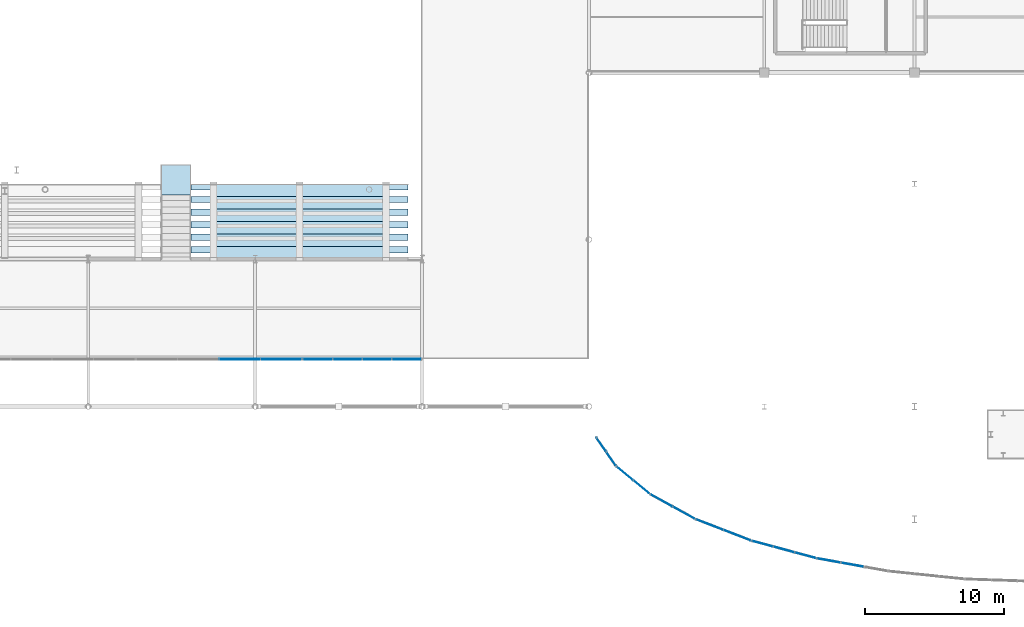
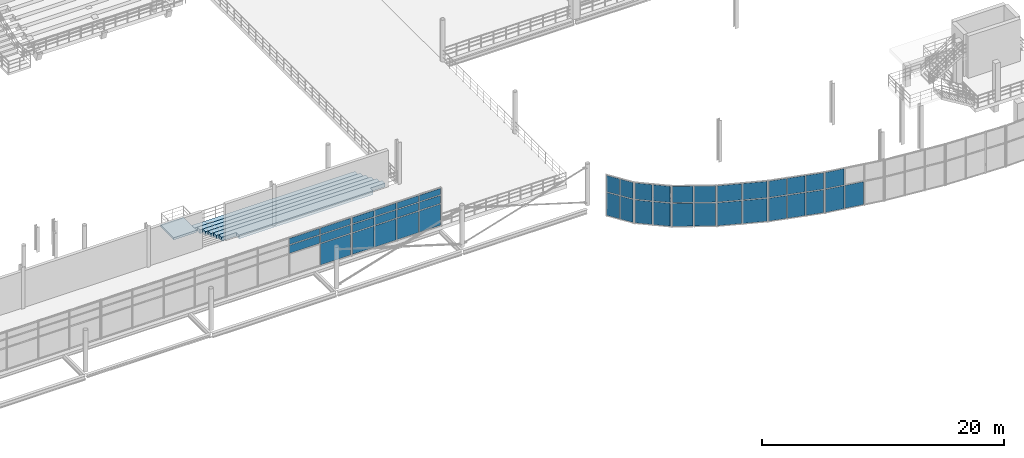
# One storey, part 56 of 89: 42 plates, 7 slabs, 9 elements without a shape of their own.
"""IFC4 building model written with IfcOpenShell, lengths in metres."""

import ifcopenshell
import ifcopenshell.guid

model = None  # the IFC model being written
_history = None  # IfcOwnerHistory: only IFC2X3 demands one
_inside = {}  # id of a spatial element -> (the spatial element, [elements in it])
_under = {}  # id of a project, library or spatial element -> (it, [spatial elements below it])
_declared = {}  # id of a project -> (the project, [libraries it declares])
_typed = {}  # id of a type object -> (the type object, [elements of that type])
_made_of = {}  # id of a material, layer set ... -> (it, [elements and type objects made of it])


def new_model(schema):
    """Start an empty IFC model of exactly this schema.

    Asked for "IFC4X3", IfcOpenShell would pick the latest addendum, in which some entities
    have other attributes; the version numbers below select the first issue.
    IFC2X3 requires an IfcOwnerHistory on every rooted entity: one is made here for all.
    """
    global model, _history
    if schema == "IFC4X3":
        model = ifcopenshell.file(schema_version=(4, 3, 0, 0))
    else:
        model = ifcopenshell.file(schema=schema)
    _inside.clear()
    _under.clear()
    _declared.clear()
    _typed.clear()
    _made_of.clear()
    _history = None
    if model.schema == "IFC2X3":
        org = make("IfcOrganization", Name="unknown")
        user = make(
            "IfcPersonAndOrganization",
            ThePerson=make("IfcPerson", FamilyName="unknown"),
            TheOrganization=org,
        )
        app = make(
            "IfcApplication",
            ApplicationDeveloper=org,
            Version="unknown",
            ApplicationFullName="unknown",
            ApplicationIdentifier="unknown",
        )
        _history = make(
            "IfcOwnerHistory",
            OwningUser=user,
            OwningApplication=app,
            ChangeAction="ADDED",
            CreationDate=0,
        )
    return model


def make(cls, **values):
    """One entity of the class cls with the attributes given. An attribute that is None is left unset."""
    return model.create_entity(
        cls, **{name: value for name, value in values.items() if value is not None}
    )


def rooted(cls, **values):
    """An entity with a GlobalId (a new one), such as an element, a storey or a relation."""
    return make(cls, GlobalId=ifcopenshell.guid.new(), OwnerHistory=_history, **values)


def si_unit(unit_type, name, prefix=None):
    """IfcSIUnit, for example si_unit("LENGTHUNIT", "METRE", prefix="MILLI")."""
    return make("IfcSIUnit", UnitType=unit_type, Prefix=prefix, Name=name)


def assignment(units):
    """IfcUnitAssignment: the units of a project."""
    return None if units is None else make("IfcUnitAssignment", Units=units)


def point(xyz):
    """IfcCartesianPoint."""
    return None if xyz is None else make("IfcCartesianPoint", Coordinates=xyz)


def direction(xyz):
    """IfcDirection."""
    return None if xyz is None else make("IfcDirection", DirectionRatios=xyz)


def frame(location, z_axis=None, x_axis=None):
    """IfcAxis2Placement3D, a coordinate frame: its origin and axes. An axis left out is left unset."""
    return make(
        "IfcAxis2Placement3D",
        Location=point(location),
        Axis=direction(z_axis),
        RefDirection=direction(x_axis),
    )


def frame_2d(location, x_axis=None):
    """IfcAxis2Placement2D, a coordinate frame in the plane: its origin and x axis."""
    return make(
        "IfcAxis2Placement2D", Location=point(location), RefDirection=direction(x_axis)
    )


def origin():
    """The frame at (0, 0, 0) with its axes left unset."""
    return frame((0.0, 0.0, 0.0))


def origin_2d():
    """The frame at (0, 0) in the plane with its x axis left unset."""
    return frame_2d((0.0, 0.0))


def place(relative_to, where):
    """IfcLocalPlacement: puts the frame where relative to a parent placement (None: the world)."""
    return make(
        "IfcLocalPlacement", PlacementRelTo=relative_to, RelativePlacement=where
    )


def context(
    kind, dimensions, precision=None, world=None, true_north=None, identifier=None
):
    """IfcGeometricRepresentationContext, for example the 3D "Model" context."""
    return make(
        "IfcGeometricRepresentationContext",
        ContextIdentifier=identifier,
        ContextType=kind,
        CoordinateSpaceDimension=dimensions,
        Precision=precision,
        WorldCoordinateSystem=world,
        TrueNorth=true_north,
    )


def subcontext(parent, identifier, kind, view, scale=None):
    """IfcGeometricRepresentationSubContext, for example "Body" below "Model"."""
    return make(
        "IfcGeometricRepresentationSubContext",
        ContextIdentifier=identifier,
        ContextType=kind,
        ParentContext=parent,
        TargetScale=scale,
        TargetView=view,
    )


def project(units=None, contexts=None):
    """IfcProject with its units and contexts."""
    return rooted(
        "IfcProject",
        Name="project",
        RepresentationContexts=contexts,
        UnitsInContext=assignment(units),
    )


def spatial(cls, under=None, at=None, **own):
    """A site, building, storey or space (cls), placed at a placement, below another one or the project."""
    s = rooted(cls, ObjectPlacement=at, **own)
    if under is not None:
        _under.setdefault(under.id(), (under, []))[1].append(s)
    return s


def polyline(points):
    """IfcPolyline through the points."""
    return make("IfcPolyline", Points=[point(p) for p in points])


def profile(cls, at=None, kind="AREA", **sizes):
    """A parametric profile (cls). Its sizes go by their IFC names, for example OverallWidth=200.0."""
    return make(cls, ProfileType=kind, Position=at, **sizes)


def rectangle(**sizes):
    """IfcRectangleProfileDef."""
    return profile("IfcRectangleProfileDef", **sizes)


def outline(outer, holes=None, kind="AREA"):
    """IfcArbitraryClosedProfileDef: a profile drawn as a closed curve; with holes, ...WithVoids."""
    if holes is None:
        return make("IfcArbitraryClosedProfileDef", ProfileType=kind, OuterCurve=outer)
    return make(
        "IfcArbitraryProfileDefWithVoids",
        ProfileType=kind,
        OuterCurve=outer,
        InnerCurves=holes,
    )


def extrude(swept, where, along, depth):
    """IfcExtrudedAreaSolid: the profile swept, set in the frame where, extruded along a direction by depth."""
    return make(
        "IfcExtrudedAreaSolid",
        SweptArea=swept,
        Position=where,
        ExtrudedDirection=direction(along),
        Depth=depth,
    )


def shape(context_of_items, identifier, shape_type, items):
    """IfcShapeRepresentation: the items that make up one representation, for example the "Body"."""
    return make(
        "IfcShapeRepresentation",
        ContextOfItems=context_of_items,
        RepresentationIdentifier=identifier,
        RepresentationType=shape_type,
        Items=items,
    )


def material(Name=None, Category=None):
    """IfcMaterial."""
    return make("IfcMaterial", Name=Name, Category=Category)


def layer(
    of_material, thickness, ventilated=None, Name=None, Category=None, Priority=None
):
    """IfcMaterialLayer: one layer of a wall or slab, of a material (None: an air gap)."""
    return make(
        "IfcMaterialLayer",
        Material=of_material,
        LayerThickness=thickness,
        IsVentilated=ventilated,
        Name=Name,
        Category=Category,
        Priority=Priority,
    )


def layer_set(layers, Name=None):
    """IfcMaterialLayerSet."""
    return make("IfcMaterialLayerSet", MaterialLayers=layers, LayerSetName=Name)


def made_of(thing, what):
    """Note that an element or type object is made of a material, layer set ...; save() writes the relation."""
    if what is not None:
        _made_of.setdefault(what.id(), (what, []))[1].append(thing)
    return thing


def type_object(cls, material=None, **own):
    """A type object (cls), such as IfcWallType, which elements share."""
    return made_of(rooted(cls, **own), material)


def element(
    cls,
    number,
    at=None,
    inside=None,
    cuts=None,
    type_object=None,
    material=None,
    context=None,
    identifier="Body",
    shape_type=None,
    held_by="IfcProductDefinitionShape",
    body=None,
    shapes=None,
    **own,
):
    """One element of the class cls, such as IfcWall. Its Tag is "e" and its number.

    at: its placement. inside: the storey or other place that contains it. cuts: it is an
    opening in that element (IfcRelVoidsElement). A single representation is given by context,
    identifier, shape_type and body (its items); several are given by shapes. held_by: the class
    of the entity that holds the representations. save() writes the other relations.
    """
    e = rooted(cls, Tag="e%d" % number, ObjectPlacement=at, **own)
    if body is not None:
        shapes = [shape(context, identifier, shape_type, body)]
    if shapes is not None:
        e.Representation = make(held_by, Representations=shapes)
    if inside is not None:
        _inside.setdefault(inside.id(), (inside, []))[1].append(e)
    if cuts is not None:
        rooted(
            "IfcRelVoidsElement", RelatingBuildingElement=cuts, RelatedOpeningElement=e
        )
    if type_object is not None:
        _typed.setdefault(type_object.id(), (type_object, []))[1].append(e)
    return made_of(e, material)


def aggregate(whole, parts):
    """IfcRelAggregates: a whole, such as a stair, and the parts it consists of."""
    return rooted("IfcRelAggregates", RelatingObject=whole, RelatedObjects=parts)


def save(model, path):
    """Write the relations noted so far, then the file.

    IfcRelAggregates (storeys below a building ...), IfcRelContainedInSpatialStructure (elements
    in a storey), IfcRelDefinesByType, IfcRelAssociatesMaterial and IfcRelDeclares: one each for
    every whole, place, type object, material and project.
    """
    for whole, parts in _under.values():
        aggregate(whole, parts)
    for where, things in _inside.values():
        rooted(
            "IfcRelContainedInSpatialStructure",
            RelatedElements=things,
            RelatingStructure=where,
        )
    for kind, things in _typed.values():
        rooted("IfcRelDefinesByType", RelatedObjects=things, RelatingType=kind)
    for what, things in _made_of.values():
        rooted("IfcRelAssociatesMaterial", RelatedObjects=things, RelatingMaterial=what)
    for by, libraries in _declared.values():
        rooted("IfcRelDeclares", RelatingContext=by, RelatedDefinitions=libraries)
    model.write(path)


model = new_model("IFC4")

# Units and contexts
model_context = context("Model", 3, precision=1e-05, world=origin(), true_north=direction((0.0, 1.0)))
body_context = subcontext(model_context, "Body", "Model", "MODEL_VIEW")
ifc_project = project(units=[si_unit("LENGTHUNIT", "METRE"), si_unit("AREAUNIT", "SQUARE_METRE"), si_unit("VOLUMEUNIT", "CUBIC_METRE"), si_unit("PLANEANGLEUNIT", "RADIAN"), si_unit("MASSUNIT", "GRAM", prefix="KILO"), si_unit("THERMODYNAMICTEMPERATUREUNIT", "KELVIN"), si_unit("POWERUNIT", "WATT")], contexts=[model_context])

# Site, building, storey
site_placement = place(None, origin())
site = spatial("IfcSite", under=ifc_project, at=site_placement, CompositionType="ELEMENT")
building_placement = place(site_placement, origin())
building = spatial("IfcBuilding", under=site, at=building_placement, Name="Solmara Park Aquatics Centre", CompositionType="ELEMENT")
storey_placement = place(building_placement, frame((0.0, 0.0, 5.39990234375)))
storey = spatial("IfcBuildingStorey", under=building, at=storey_placement, Name="L01", CompositionType="ELEMENT", Elevation=5.39990234375)

# Curtain wall, plates
ifc_material_1 = material(Name="Anodised Aluminium Curtain Wall Framing", Category="aluminium")
curtain_wall_type_1 = type_object("IfcCurtainWallType", Name="ARC-CW-SYS04", PredefinedType="USERDEFINED", material=ifc_material_1)
curtain_wall_1_placement = place(storey_placement, origin())
curtain_wall_1 = element("IfcCurtainWall", 1, at=curtain_wall_1_placement, inside=storey, type_object=curtain_wall_type_1, Name="Curtain Wall CW-028", ObjectType="CURTAIN WALL", PredefinedType="USERDEFINED")
ifc_material_2 = material(Name="Double Low-E Solar-Control Glazing", Category="glass")
ifc_layer_1 = layer(ifc_material_2, 0.031982421875, Name="Double Low-E Solar-Control Glazing")
ifc_layer_set_1 = layer_set([ifc_layer_1], Name="Double Low-E Solar-Control Glazing")
plate_type_1 = type_object("IfcPlateType", Name="ARC-CWP-GLZ32-1180x1640", PredefinedType="CURTAIN_PANEL", material=ifc_layer_set_1)
plate_1_placement = place(storey_placement, frame((97.4658203125, 9.881591796875, 2.47607421875), z_axis=(0.0, 0.0, 1.0), x_axis=(0.570927091568, -0.821000764989, 0.0)))
plate_1 = element("IfcPlate", 2, at=plate_1_placement, type_object=plate_type_1, Name="CW-028 panel 2", PredefinedType="CURTAIN_PANEL", context=body_context, shape_type="SweptSolid", body=[
    extrude(rectangle(XDim=1.172119140625, YDim=0.031982421875, at=origin_2d()), origin(), (0.0, 0.0, 1.0), 1.64404296875),
])
plate_2_placement = place(storey_placement, frame((98.180419921875, 8.853759765625, 2.47607421875), z_axis=(0.0, 0.0, 1.0), x_axis=(0.570927091568, -0.821000764989, 0.0)))
plate_2 = element("IfcPlate", 3, at=plate_2_placement, type_object=plate_type_1, Name="CW-028 panel 4", PredefinedType="CURTAIN_PANEL", context=body_context, shape_type="SweptSolid", body=[
    extrude(rectangle(XDim=1.172119140625, YDim=0.031982421875, at=origin_2d()), origin(), (0.0, 0.0, 1.0), 1.64404296875),
])
ifc_layer_2 = layer(ifc_material_2, 0.031982421875, Name="Double Low-E Solar-Control Glazing")
ifc_layer_set_2 = layer_set([ifc_layer_2], Name="Double Low-E Solar-Control Glazing")
plate_type_2 = type_object("IfcPlateType", Name="ARC-CWP-GLZ32-1180x2320", PredefinedType="CURTAIN_PANEL", material=ifc_layer_set_2)
plate_3_placement = place(storey_placement, frame((97.4658203125, 9.881591796875, 0.080078125), z_axis=(0.0, 0.0, 1.0), x_axis=(0.570927091568, -0.821000764989, 0.0)))
plate_3 = element("IfcPlate", 4, at=plate_3_placement, type_object=plate_type_2, Name="CW-028 panel 1", PredefinedType="CURTAIN_PANEL", context=body_context, shape_type="SweptSolid", body=[
    extrude(rectangle(XDim=1.172119140625, YDim=0.031982421875, at=origin_2d()), origin(), (0.0, 0.0, 1.0), 2.31591796875),
])
plate_4_placement = place(storey_placement, frame((98.180419921875, 8.853759765625, 0.080078125), z_axis=(0.0, 0.0, 1.0), x_axis=(0.570927091568, -0.821000764989, 0.0)))
plate_4 = element("IfcPlate", 5, at=plate_4_placement, type_object=plate_type_2, Name="CW-028 panel 3", PredefinedType="CURTAIN_PANEL", context=body_context, shape_type="SweptSolid", body=[
    extrude(rectangle(XDim=1.172119140625, YDim=0.031982421875, at=origin_2d()), origin(), (0.0, 0.0, 1.0), 2.31591796875),
])
aggregate(curtain_wall_1, [plate_3, plate_1, plate_4, plate_2])

curtain_wall_2_placement = place(storey_placement, origin())
curtain_wall_2 = element("IfcCurtainWall", 6, at=curtain_wall_2_placement, inside=storey, type_object=curtain_wall_type_1, Name="Curtain Wall CW-030", ObjectType="CURTAIN WALL", PredefinedType="USERDEFINED")
ifc_layer_3 = layer(ifc_material_2, 0.031982421875, Name="Double Low-E Solar-Control Glazing")
ifc_layer_set_3 = layer_set([ifc_layer_3], Name="Double Low-E Solar-Control Glazing")
plate_type_3 = type_object("IfcPlateType", Name="ARC-CWP-GLZ32-1440x1640", PredefinedType="CURTAIN_PANEL", material=ifc_layer_set_3)
plate_5_placement = place(storey_placement, frame((99.17431640625, 7.79296875, 2.47607421875), z_axis=(0.0, 0.0, 1.0), x_axis=(0.770876909587, -0.636984136589, 0.0)))
plate_5 = element("IfcPlate", 7, at=plate_5_placement, type_object=plate_type_3, Name="CW-030 panel 2", PredefinedType="CURTAIN_PANEL", context=body_context, shape_type="SweptSolid", body=[
    extrude(rectangle(XDim=1.4423828125, YDim=0.031982421875, at=origin_2d()), origin(), (0.0, 0.0, 1.0), 1.64404296875),
])
plate_6_placement = place(storey_placement, frame((100.347900390625, 6.822998046875, 2.47607421875), z_axis=(0.0, 0.0, 1.0), x_axis=(0.770876909587, -0.636984136589, 0.0)))
plate_6 = element("IfcPlate", 8, at=plate_6_placement, type_object=plate_type_3, Name="CW-030 panel 4", PredefinedType="CURTAIN_PANEL", context=body_context, shape_type="SweptSolid", body=[
    extrude(rectangle(XDim=1.4423828125, YDim=0.031982421875, at=origin_2d()), origin(), (0.0, 0.0, 1.0), 1.64404296875),
])
ifc_layer_4 = layer(ifc_material_2, 0.031982421875, Name="Double Low-E Solar-Control Glazing")
ifc_layer_set_4 = layer_set([ifc_layer_4], Name="Double Low-E Solar-Control Glazing")
plate_type_4 = type_object("IfcPlateType", Name="ARC-CWP-GLZ32-1440x2320", PredefinedType="CURTAIN_PANEL", material=ifc_layer_set_4)
plate_7_placement = place(storey_placement, frame((99.17431640625, 7.79296875, 0.080078125), z_axis=(0.0, 0.0, 1.0), x_axis=(0.770876909587, -0.636984136589, 0.0)))
plate_7 = element("IfcPlate", 9, at=plate_7_placement, type_object=plate_type_4, Name="CW-030 panel 1", PredefinedType="CURTAIN_PANEL", context=body_context, shape_type="SweptSolid", body=[
    extrude(rectangle(XDim=1.4423828125, YDim=0.031982421875, at=origin_2d()), origin(), (0.0, 0.0, 1.0), 2.31591796875),
])
plate_8_placement = place(storey_placement, frame((100.347900390625, 6.822998046875, 0.080078125), z_axis=(0.0, 0.0, 1.0), x_axis=(0.770876909587, -0.636984136589, 0.0)))
plate_8 = element("IfcPlate", 10, at=plate_8_placement, type_object=plate_type_4, Name="CW-030 panel 3", PredefinedType="CURTAIN_PANEL", context=body_context, shape_type="SweptSolid", body=[
    extrude(rectangle(XDim=1.4423828125, YDim=0.031982421875, at=origin_2d()), origin(), (0.0, 0.0, 1.0), 2.31591796875),
])
aggregate(curtain_wall_2, [plate_7, plate_5, plate_8, plate_6])

curtain_wall_3_placement = place(storey_placement, origin())
curtain_wall_3 = element("IfcCurtainWall", 11, at=curtain_wall_3_placement, inside=storey, type_object=curtain_wall_type_1, Name="Curtain Wall CW-036", ObjectType="CURTAIN WALL", PredefinedType="USERDEFINED")
ifc_layer_5 = layer(ifc_material_2, 0.031982421875, Name="Double Low-E Solar-Control Glazing")
ifc_layer_set_5 = layer_set([ifc_layer_5], Name="Double Low-E Solar-Control Glazing")
plate_type_5 = type_object("IfcPlateType", Name="ARC-CWP-GLZ32-1500x1640", PredefinedType="CURTAIN_PANEL", material=ifc_layer_set_5)
plate_9_placement = place(storey_placement, frame((109.0654296875, 2.736083984375, 2.47607421875), z_axis=(0.0, 0.0, 1.0), x_axis=(0.965480359779, -0.260475862378, 0.0)))
plate_9 = element("IfcPlate", 12, at=plate_9_placement, type_object=plate_type_5, Name="CW-036 panel 2", PredefinedType="CURTAIN_PANEL", context=body_context, shape_type="SweptSolid", body=[
    extrude(rectangle(XDim=1.50537109375, YDim=0.031982421875, at=origin_2d()), origin(), (0.0, 0.0, 1.0), 1.64404296875),
])
plate_10_placement = place(storey_placement, frame((110.59619140625, 2.3232421875, 2.47607421875), z_axis=(0.0, 0.0, 1.0), x_axis=(0.965480359779, -0.260475862378, 0.0)))
plate_10 = element("IfcPlate", 13, at=plate_10_placement, type_object=plate_type_5, Name="CW-036 panel 4", PredefinedType="CURTAIN_PANEL", context=body_context, shape_type="SweptSolid", body=[
    extrude(rectangle(XDim=1.50537109375, YDim=0.031982421875, at=origin_2d()), origin(), (0.0, 0.0, 1.0), 1.64404296875),
])
plate_11_placement = place(storey_placement, frame((112.126708984375, 1.91015625, 2.47607421875), z_axis=(0.0, 0.0, 1.0), x_axis=(0.965480359779, -0.260475862378, 0.0)))
plate_11 = element("IfcPlate", 14, at=plate_11_placement, type_object=plate_type_5, Name="CW-036 panel 6", PredefinedType="CURTAIN_PANEL", context=body_context, shape_type="SweptSolid", body=[
    extrude(rectangle(XDim=1.505615234375, YDim=0.031982421875, at=origin_2d()), origin(), (0.0, 0.0, 1.0), 1.64404296875),
])
ifc_layer_6 = layer(ifc_material_2, 0.031982421875, Name="Double Low-E Solar-Control Glazing")
ifc_layer_set_6 = layer_set([ifc_layer_6], Name="Double Low-E Solar-Control Glazing")
plate_type_6 = type_object("IfcPlateType", Name="ARC-CWP-GLZ32-1500x2320", PredefinedType="CURTAIN_PANEL", material=ifc_layer_set_6)
plate_12_placement = place(storey_placement, frame((109.0654296875, 2.736083984375, 0.080078125), z_axis=(0.0, 0.0, 1.0), x_axis=(0.965480359779, -0.260475862378, 0.0)))
plate_12 = element("IfcPlate", 15, at=plate_12_placement, type_object=plate_type_6, Name="CW-036 panel 1", PredefinedType="CURTAIN_PANEL", context=body_context, shape_type="SweptSolid", body=[
    extrude(rectangle(XDim=1.50537109375, YDim=0.031982421875, at=origin_2d()), origin(), (0.0, 0.0, 1.0), 2.31591796875),
])
plate_13_placement = place(storey_placement, frame((110.59619140625, 2.3232421875, 0.080078125), z_axis=(0.0, 0.0, 1.0), x_axis=(0.965480359779, -0.260475862378, 0.0)))
plate_13 = element("IfcPlate", 16, at=plate_13_placement, type_object=plate_type_6, Name="CW-036 panel 3", PredefinedType="CURTAIN_PANEL", context=body_context, shape_type="SweptSolid", body=[
    extrude(rectangle(XDim=1.50537109375, YDim=0.031982421875, at=origin_2d()), origin(), (0.0, 0.0, 1.0), 2.31591796875),
])
plate_14_placement = place(storey_placement, frame((112.126708984375, 1.91015625, 0.080078125), z_axis=(0.0, 0.0, 1.0), x_axis=(0.965480359779, -0.260475862378, 0.0)))
plate_14 = element("IfcPlate", 17, at=plate_14_placement, type_object=plate_type_6, Name="CW-036 panel 5", PredefinedType="CURTAIN_PANEL", context=body_context, shape_type="SweptSolid", body=[
    extrude(rectangle(XDim=1.505615234375, YDim=0.031982421875, at=origin_2d()), origin(), (0.0, 0.0, 1.0), 2.31591796875),
])
aggregate(curtain_wall_3, [plate_12, plate_9, plate_13, plate_10, plate_14, plate_11])

curtain_wall_4_placement = place(storey_placement, origin())
curtain_wall_4 = element("IfcCurtainWall", 18, at=curtain_wall_4_placement, inside=storey, type_object=curtain_wall_type_1, Name="Curtain Wall CW-038", ObjectType="CURTAIN WALL", PredefinedType="USERDEFINED")
ifc_layer_7 = layer(ifc_material_2, 0.031982421875, Name="Double Low-E Solar-Control Glazing")
ifc_layer_set_7 = layer_set([ifc_layer_7], Name="Double Low-E Solar-Control Glazing")
plate_type_7 = type_object("IfcPlateType", Name="ARC-CWP-GLZ32-1640x1640", PredefinedType="CURTAIN_PANEL", material=ifc_layer_set_7)
plate_15_placement = place(storey_placement, frame((113.817626953125, 1.5322265625, 2.47607421875), z_axis=(0.0, 0.0, 1.0), x_axis=(0.9842385399, -0.176845968502, 0.0)))
plate_15 = element("IfcPlate", 19, at=plate_15_placement, type_object=plate_type_7, Name="CW-038 panel 2", PredefinedType="CURTAIN_PANEL", context=body_context, shape_type="SweptSolid", body=[
    extrude(rectangle(XDim=1.642822265625, YDim=0.031982421875, at=origin_2d()), origin(), (0.0, 0.0, 1.0), 1.64404296875),
])
ifc_layer_8 = layer(ifc_material_2, 0.031982421875, Name="Double Low-E Solar-Control Glazing")
ifc_layer_set_8 = layer_set([ifc_layer_8], Name="Double Low-E Solar-Control Glazing")
plate_type_8 = type_object("IfcPlateType", Name="ARC-CWP-GLZ32-1640x2320", PredefinedType="CURTAIN_PANEL", material=ifc_layer_set_8)
plate_16_placement = place(storey_placement, frame((113.817626953125, 1.5322265625, 0.080078125), z_axis=(0.0, 0.0, 1.0), x_axis=(0.9842385399, -0.176845968502, 0.0)))
plate_16 = element("IfcPlate", 20, at=plate_16_placement, type_object=plate_type_8, Name="CW-038 panel 1", PredefinedType="CURTAIN_PANEL", context=body_context, shape_type="SweptSolid", body=[
    extrude(rectangle(XDim=1.642822265625, YDim=0.031982421875, at=origin_2d()), origin(), (0.0, 0.0, 1.0), 2.31591796875),
])
plate_17_placement = place(storey_placement, frame((115.51318359375, 1.2275390625, 0.080078125), z_axis=(0.0, 0.0, 1.0), x_axis=(0.9842385399, -0.176845968502, 0.0)))
plate_17 = element("IfcPlate", 21, at=plate_17_placement, type_object=plate_type_8, Name="CW-038 panel 3", PredefinedType="CURTAIN_PANEL", context=body_context, shape_type="SweptSolid", body=[
    extrude(rectangle(XDim=1.642822265625, YDim=0.031982421875, at=origin_2d()), origin(), (0.0, 0.0, 1.0), 2.31591796875),
])
aggregate(curtain_wall_4, [plate_16, plate_15, plate_17])

curtain_wall_5_placement = place(storey_placement, origin())
curtain_wall_5 = element("IfcCurtainWall", 22, at=curtain_wall_5_placement, inside=storey, type_object=curtain_wall_type_1, Name="Curtain Wall CW-032", ObjectType="CURTAIN WALL", PredefinedType="USERDEFINED")
ifc_layer_9 = layer(ifc_material_2, 0.031982421875, Name="Double Low-E Solar-Control Glazing")
ifc_layer_set_9 = layer_set([ifc_layer_9], Name="Double Low-E Solar-Control Glazing")
plate_type_9 = type_object("IfcPlateType", Name="ARC-CWP-GLZ32-1740x1640", PredefinedType="CURTAIN_PANEL", material=ifc_layer_set_9)
plate_18_placement = place(storey_placement, frame((101.79833984375, 5.85009765625, 2.47607421875), z_axis=(0.0, 0.0, 1.0), x_axis=(0.876104806664, -0.482120698311, 0.0)))
plate_18 = element("IfcPlate", 23, at=plate_18_placement, type_object=plate_type_9, Name="CW-032 panel 2", PredefinedType="CURTAIN_PANEL", context=body_context, shape_type="SweptSolid", body=[
    extrude(rectangle(XDim=1.745849609375, YDim=0.031982421875, at=origin_2d()), origin(), (0.0, 0.0, 1.0), 1.64404296875),
])
plate_19_placement = place(storey_placement, frame((103.39794921875, 4.969970703125, 2.47607421875), z_axis=(0.0, 0.0, 1.0), x_axis=(0.876104806664, -0.482120698311, 0.0)))
plate_19 = element("IfcPlate", 24, at=plate_19_placement, type_object=plate_type_9, Name="CW-032 panel 4", PredefinedType="CURTAIN_PANEL", context=body_context, shape_type="SweptSolid", body=[
    extrude(rectangle(XDim=1.745849609375, YDim=0.031982421875, at=origin_2d()), origin(), (0.0, 0.0, 1.0), 1.64404296875),
])
ifc_layer_10 = layer(ifc_material_2, 0.031982421875, Name="Double Low-E Solar-Control Glazing")
ifc_layer_set_10 = layer_set([ifc_layer_10], Name="Double Low-E Solar-Control Glazing")
plate_type_10 = type_object("IfcPlateType", Name="ARC-CWP-GLZ32-1740x2320", PredefinedType="CURTAIN_PANEL", material=ifc_layer_set_10)
plate_20_placement = place(storey_placement, frame((101.79833984375, 5.85009765625, 0.080078125), z_axis=(0.0, 0.0, 1.0), x_axis=(0.876104806664, -0.482120698311, 0.0)))
plate_20 = element("IfcPlate", 25, at=plate_20_placement, type_object=plate_type_10, Name="CW-032 panel 1", PredefinedType="CURTAIN_PANEL", context=body_context, shape_type="SweptSolid", body=[
    extrude(rectangle(XDim=1.745849609375, YDim=0.031982421875, at=origin_2d()), origin(), (0.0, 0.0, 1.0), 2.31591796875),
])
plate_21_placement = place(storey_placement, frame((103.39794921875, 4.969970703125, 0.080078125), z_axis=(0.0, 0.0, 1.0), x_axis=(0.876104806664, -0.482120698311, 0.0)))
plate_21 = element("IfcPlate", 26, at=plate_21_placement, type_object=plate_type_10, Name="CW-032 panel 3", PredefinedType="CURTAIN_PANEL", context=body_context, shape_type="SweptSolid", body=[
    extrude(rectangle(XDim=1.745849609375, YDim=0.031982421875, at=origin_2d()), origin(), (0.0, 0.0, 1.0), 2.31591796875),
])
aggregate(curtain_wall_5, [plate_20, plate_18, plate_21, plate_19])

curtain_wall_6_placement = place(storey_placement, origin())
curtain_wall_6 = element("IfcCurtainWall", 27, at=curtain_wall_6_placement, inside=storey, type_object=curtain_wall_type_1, Name="Curtain Wall CW-034", ObjectType="CURTAIN WALL", PredefinedType="USERDEFINED")
ifc_layer_11 = layer(ifc_material_2, 0.031982421875, Name="Double Low-E Solar-Control Glazing")
ifc_layer_set_11 = layer_set([ifc_layer_11], Name="Double Low-E Solar-Control Glazing")
plate_type_11 = type_object("IfcPlateType", Name="ARC-CWP-GLZ32-2040x1640", PredefinedType="CURTAIN_PANEL", material=ifc_layer_set_11)
plate_22_placement = place(storey_placement, frame((105.2578125, 4.112548828125, 2.47607421875), z_axis=(0.0, 0.0, 1.0), x_axis=(0.933119937966, -0.35956526719, 0.0)))
plate_22 = element("IfcPlate", 28, at=plate_22_placement, type_object=plate_type_11, Name="CW-034 panel 2", PredefinedType="CURTAIN_PANEL", context=body_context, shape_type="SweptSolid", body=[
    extrude(rectangle(XDim=2.039794921875, YDim=0.031982421875, at=origin_2d()), origin(), (0.0, 0.0, 1.0), 1.64404296875),
])
plate_23_placement = place(storey_placement, frame((107.23583984375, 3.3505859375, 2.47607421875), z_axis=(0.0, 0.0, 1.0), x_axis=(0.933119937966, -0.35956526719, 0.0)))
plate_23 = element("IfcPlate", 29, at=plate_23_placement, type_object=plate_type_11, Name="CW-034 panel 4", PredefinedType="CURTAIN_PANEL", context=body_context, shape_type="SweptSolid", body=[
    extrude(rectangle(XDim=2.039794921875, YDim=0.031982421875, at=origin_2d()), origin(), (0.0, 0.0, 1.0), 1.64404296875),
])

curtain_wall_type_2 = type_object("IfcCurtainWallType", Name="ARC-CW-SYS05", PredefinedType="USERDEFINED", material=ifc_material_1)
curtain_wall_7_placement = place(storey_placement, origin())
curtain_wall_7 = element("IfcCurtainWall", 30, at=curtain_wall_7_placement, inside=storey, type_object=curtain_wall_type_2, Name="Curtain Wall CW-010", ObjectType="CURTAIN WALL", PredefinedType="USERDEFINED")
ifc_layer_12 = layer(ifc_material_2, 0.031982421875, Name="Double Low-E Solar-Control Glazing")
ifc_layer_set_12 = layer_set([ifc_layer_12], Name="Double Low-E Solar-Control Glazing")
plate_type_12 = type_object("IfcPlateType", Name="ARC-CWP-GLZ32-2040x2140", PredefinedType="CURTAIN_PANEL", material=ifc_layer_set_12)
plate_24_placement = place(storey_placement, frame((77.0849609375, 16.0, 0.080078125), z_axis=(0.0, 0.0, 1.0), x_axis=(1.0, 0.0, 0.0)))
plate_24 = element("IfcPlate", 31, at=plate_24_placement, type_object=plate_type_12, Name="CW-010 panel 1", PredefinedType="CURTAIN_PANEL", context=body_context, shape_type="SweptSolid", body=[
    extrude(rectangle(XDim=2.050048828125, YDim=0.031982421875, at=origin_2d()), origin(), (0.0, 0.0, 1.0), 2.14208984375),
])
plate_25_placement = place(storey_placement, frame((79.215087890625, 16.0, 0.080078125), z_axis=(0.0, 0.0, 1.0), x_axis=(1.0, 0.0, 0.0)))
plate_25 = element("IfcPlate", 32, at=plate_25_placement, type_object=plate_type_12, Name="CW-010 panel 4", PredefinedType="CURTAIN_PANEL", context=body_context, shape_type="SweptSolid", body=[
    extrude(rectangle(XDim=2.050048828125, YDim=0.031982421875, at=origin_2d()), origin(), (0.0, 0.0, 1.0), 2.14208984375),
])
plate_26_placement = place(storey_placement, frame((83.47509765625, 16.0, 0.080078125), z_axis=(0.0, 0.0, 1.0), x_axis=(1.0, 0.0, 0.0)))
plate_26 = element("IfcPlate", 33, at=plate_26_placement, type_object=plate_type_12, Name="CW-010 panel 10", PredefinedType="CURTAIN_PANEL", context=body_context, shape_type="SweptSolid", body=[
    extrude(rectangle(XDim=2.050048828125, YDim=0.031982421875, at=origin_2d()), origin(), (0.0, 0.0, 1.0), 2.14208984375),
])

# Plate
ifc_layer_13 = layer(ifc_material_2, 0.031982421875, Name="Double Low-E Solar-Control Glazing")
ifc_layer_set_13 = layer_set([ifc_layer_13], Name="Double Low-E Solar-Control Glazing")
plate_type_13 = type_object("IfcPlateType", Name="ARC-CWP-GLZ32-2040x2320", PredefinedType="CURTAIN_PANEL", material=ifc_layer_set_13)
plate_27_placement = place(storey_placement, frame((105.2578125, 4.112548828125, 0.080078125), z_axis=(0.0, 0.0, 1.0), x_axis=(0.933119937966, -0.35956526719, 0.0)))
plate_27 = element("IfcPlate", 34, at=plate_27_placement, type_object=plate_type_13, Name="CW-034 panel 1", PredefinedType="CURTAIN_PANEL", context=body_context, shape_type="SweptSolid", body=[
    extrude(rectangle(XDim=2.039794921875, YDim=0.031982421875, at=origin_2d()), origin(), (0.0, 0.0, 1.0), 2.31591796875),
])

plate_28_placement = place(storey_placement, frame((107.23583984375, 3.3505859375, 0.080078125), z_axis=(0.0, 0.0, 1.0), x_axis=(0.933119937966, -0.35956526719, 0.0)))
plate_28 = element("IfcPlate", 35, at=plate_28_placement, type_object=plate_type_13, Name="CW-034 panel 3", PredefinedType="CURTAIN_PANEL", context=body_context, shape_type="SweptSolid", body=[
    extrude(rectangle(XDim=2.039794921875, YDim=0.031982421875, at=origin_2d()), origin(), (0.0, 0.0, 1.0), 2.31591796875),
])

aggregate(curtain_wall_6, [plate_27, plate_22, plate_28, plate_23])

ifc_layer_14 = layer(ifc_material_2, 0.031982421875, Name="Double Low-E Solar-Control Glazing")
ifc_layer_set_14 = layer_set([ifc_layer_14], Name="Double Low-E Solar-Control Glazing")
plate_type_14 = type_object("IfcPlateType", Name="ARC-CWP-GLZ32-2040x800", PredefinedType="CURTAIN_PANEL", material=ifc_layer_set_14)
plate_29_placement = place(storey_placement, frame((77.0849609375, 16.0, 2.302001953125), z_axis=(0.0, 0.0, 1.0), x_axis=(1.0, 0.0, 0.0)))
plate_29 = element("IfcPlate", 36, at=plate_29_placement, type_object=plate_type_14, Name="CW-010 panel 2", PredefinedType="CURTAIN_PANEL", context=body_context, shape_type="SweptSolid", body=[
    extrude(rectangle(XDim=2.050048828125, YDim=0.031982421875, at=origin_2d()), origin(), (0.0, 0.0, 1.0), 0.80810546875),
])

plate_30_placement = place(storey_placement, frame((79.215087890625, 16.0, 2.302001953125), z_axis=(0.0, 0.0, 1.0), x_axis=(1.0, 0.0, 0.0)))
plate_30 = element("IfcPlate", 37, at=plate_30_placement, type_object=plate_type_14, Name="CW-010 panel 5", PredefinedType="CURTAIN_PANEL", context=body_context, shape_type="SweptSolid", body=[
    extrude(rectangle(XDim=2.050048828125, YDim=0.031982421875, at=origin_2d()), origin(), (0.0, 0.0, 1.0), 0.80810546875),
])

plate_31_placement = place(storey_placement, frame((83.47509765625, 16.0, 2.302001953125), z_axis=(0.0, 0.0, 1.0), x_axis=(1.0, 0.0, 0.0)))
plate_31 = element("IfcPlate", 38, at=plate_31_placement, type_object=plate_type_14, Name="CW-010 panel 11", PredefinedType="CURTAIN_PANEL", context=body_context, shape_type="SweptSolid", body=[
    extrude(rectangle(XDim=2.050048828125, YDim=0.031982421875, at=origin_2d()), origin(), (0.0, 0.0, 1.0), 0.80810546875),
])

ifc_layer_15 = layer(ifc_material_2, 0.031982421875, Name="Double Low-E Solar-Control Glazing")
ifc_layer_set_15 = layer_set([ifc_layer_15], Name="Double Low-E Solar-Control Glazing")
plate_type_15 = type_object("IfcPlateType", Name="ARC-CWP-GLZ32-2060x2140", PredefinedType="CURTAIN_PANEL", material=ifc_layer_set_15)
plate_32_placement = place(storey_placement, frame((81.344970703125, 16.0, 0.080078125), z_axis=(0.0, 0.0, 1.0), x_axis=(1.0, 0.0, 0.0)))
plate_32 = element("IfcPlate", 39, at=plate_32_placement, type_object=plate_type_15, Name="CW-010 panel 7", PredefinedType="CURTAIN_PANEL", context=body_context, shape_type="SweptSolid", body=[
    extrude(rectangle(XDim=2.050048828125, YDim=0.031982421875, at=origin_2d()), origin(), (0.0, 0.0, 1.0), 2.14208984375),
])

ifc_layer_16 = layer(ifc_material_2, 0.031982421875, Name="Double Low-E Solar-Control Glazing")
ifc_layer_set_16 = layer_set([ifc_layer_16], Name="Double Low-E Solar-Control Glazing")
plate_type_16 = type_object("IfcPlateType", Name="ARC-CWP-GLZ32-2060x800", PredefinedType="CURTAIN_PANEL", material=ifc_layer_set_16)
plate_33_placement = place(storey_placement, frame((81.344970703125, 16.0, 2.302001953125), z_axis=(0.0, 0.0, 1.0), x_axis=(1.0, 0.0, 0.0)))
plate_33 = element("IfcPlate", 40, at=plate_33_placement, type_object=plate_type_16, Name="CW-010 panel 8", PredefinedType="CURTAIN_PANEL", context=body_context, shape_type="SweptSolid", body=[
    extrude(rectangle(XDim=2.050048828125, YDim=0.031982421875, at=origin_2d()), origin(), (0.0, 0.0, 1.0), 0.80810546875),
])

# Curtain wall, plates
curtain_wall_8_placement = place(storey_placement, origin())
curtain_wall_8 = element("IfcCurtainWall", 41, at=curtain_wall_8_placement, inside=storey, type_object=curtain_wall_type_2, Name="Curtain Wall CW-008", ObjectType="CURTAIN WALL", PredefinedType="USERDEFINED")
ifc_layer_17 = layer(ifc_material_2, 0.031982421875, Name="Double Low-E Solar-Control Glazing")
ifc_layer_set_17 = layer_set([ifc_layer_17], Name="Double Low-E Solar-Control Glazing")
plate_type_17 = type_object("IfcPlateType", Name="ARC-CWP-GLZ32-2900x2140", PredefinedType="CURTAIN_PANEL", material=ifc_layer_set_17)
plate_34_placement = place(storey_placement, frame((74.449951171875, 16.0, 0.080078125), z_axis=(0.0, 0.0, 1.0), x_axis=(1.0, 0.0, 0.0)))
plate_34 = element("IfcPlate", 42, at=plate_34_placement, type_object=plate_type_17, Name="CW-008 panel 10", PredefinedType="CURTAIN_PANEL", context=body_context, shape_type="SweptSolid", body=[
    extrude(rectangle(XDim=2.89990234375, YDim=0.031982421875, at=origin_2d()), origin(), (0.0, 0.0, 1.0), 2.14208984375),
])
ifc_layer_18 = layer(ifc_material_2, 0.031982421875, Name="Double Low-E Solar-Control Glazing")
ifc_layer_set_18 = layer_set([ifc_layer_18], Name="Double Low-E Solar-Control Glazing")
plate_type_18 = type_object("IfcPlateType", Name="ARC-CWP-GLZ32-2900x800", PredefinedType="CURTAIN_PANEL", material=ifc_layer_set_18)
plate_35_placement = place(storey_placement, frame((71.469970703125, 16.0, 2.302001953125), z_axis=(0.0, 0.0, 1.0), x_axis=(1.0, 0.0, 0.0)))
plate_35 = element("IfcPlate", 43, at=plate_35_placement, type_object=plate_type_18, Name="CW-008 panel 8", PredefinedType="CURTAIN_PANEL", context=body_context, shape_type="SweptSolid", body=[
    extrude(rectangle(XDim=2.89990234375, YDim=0.031982421875, at=origin_2d()), origin(), (0.0, 0.0, 1.0), 0.80810546875),
])
plate_36_placement = place(storey_placement, frame((74.449951171875, 16.0, 2.302001953125), z_axis=(0.0, 0.0, 1.0), x_axis=(1.0, 0.0, 0.0)))
plate_36 = element("IfcPlate", 44, at=plate_36_placement, type_object=plate_type_18, Name="CW-008 panel 11", PredefinedType="CURTAIN_PANEL", context=body_context, shape_type="SweptSolid", body=[
    extrude(rectangle(XDim=2.89990234375, YDim=0.031982421875, at=origin_2d()), origin(), (0.0, 0.0, 1.0), 0.80810546875),
])
ifc_material_3 = material(Name="Golden-Ochre Enamelled Aluminium Fascia Panel", Category="aluminium")
ifc_layer_19 = layer(ifc_material_3, 0.0400390625, Name="Golden-Ochre Enamelled Aluminium Fascia Panel")
ifc_layer_set_19 = layer_set([ifc_layer_19], Name="Golden-Ochre Enamelled Aluminium Fascia Panel")
plate_type_19 = type_object("IfcPlateType", Name="ARC-CWP-OCH40-2900x640", PredefinedType="CURTAIN_PANEL", material=ifc_layer_set_19)
plate_37_placement = place(storey_placement, frame((71.469970703125, 16.0, 3.190185546875), z_axis=(0.0, 0.0, 1.0), x_axis=(1.0, 0.0, 0.0)))
plate_37 = element("IfcPlate", 45, at=plate_37_placement, type_object=plate_type_19, Name="CW-008 panel 9", PredefinedType="CURTAIN_PANEL", context=body_context, shape_type="SweptSolid", body=[
    extrude(rectangle(XDim=2.89990234375, YDim=0.0400390625, at=origin_2d()), origin(), (0.0, 0.0, 1.0), 0.6298828125),
])
plate_38_placement = place(storey_placement, frame((74.449951171875, 16.0, 3.190185546875), z_axis=(0.0, 0.0, 1.0), x_axis=(1.0, 0.0, 0.0)))
plate_38 = element("IfcPlate", 46, at=plate_38_placement, type_object=plate_type_19, Name="CW-008 panel 12", PredefinedType="CURTAIN_PANEL", context=body_context, shape_type="SweptSolid", body=[
    extrude(rectangle(XDim=2.89990234375, YDim=0.0400390625, at=origin_2d()), origin(), (0.0, 0.0, 1.0), 0.6298828125),
])
aggregate(curtain_wall_8, [plate_35, plate_37, plate_34, plate_36, plate_38])

# Plate
ifc_material_4 = material(Name="Insulated Anodised Aluminium Spandrel Panel", Category="aluminium")
ifc_layer_20 = layer(ifc_material_4, 0.0439453125, Name="Insulated Anodised Aluminium Spandrel Panel")
ifc_layer_set_20 = layer_set([ifc_layer_20], Name="Insulated Anodised Aluminium Spandrel Panel")
plate_type_20 = type_object("IfcPlateType", Name="ARC-CWP-SPN44-2040x640", PredefinedType="CURTAIN_PANEL", material=ifc_layer_set_20)
plate_39_placement = place(storey_placement, frame((77.0849609375, 16.0, 3.190185546875), z_axis=(0.0, 0.0, 1.0), x_axis=(1.0, 0.0, 0.0)))
plate_39 = element("IfcPlate", 47, at=plate_39_placement, type_object=plate_type_20, Name="CW-010 panel 3", PredefinedType="CURTAIN_PANEL", context=body_context, shape_type="SweptSolid", body=[
    extrude(rectangle(XDim=2.050048828125, YDim=0.0439453125, at=origin_2d()), origin(), (0.0, 0.0, 1.0), 0.6298828125),
])

plate_40_placement = place(storey_placement, frame((79.215087890625, 16.0, 3.190185546875), z_axis=(0.0, 0.0, 1.0), x_axis=(1.0, 0.0, 0.0)))
plate_40 = element("IfcPlate", 48, at=plate_40_placement, type_object=plate_type_20, Name="CW-010 panel 6", PredefinedType="CURTAIN_PANEL", context=body_context, shape_type="SweptSolid", body=[
    extrude(rectangle(XDim=2.050048828125, YDim=0.0439453125, at=origin_2d()), origin(), (0.0, 0.0, 1.0), 0.6298828125),
])

plate_41_placement = place(storey_placement, frame((83.47509765625, 16.0, 3.190185546875), z_axis=(0.0, 0.0, 1.0), x_axis=(1.0, 0.0, 0.0)))
plate_41 = element("IfcPlate", 49, at=plate_41_placement, type_object=plate_type_20, Name="CW-010 panel 12", PredefinedType="CURTAIN_PANEL", context=body_context, shape_type="SweptSolid", body=[
    extrude(rectangle(XDim=2.050048828125, YDim=0.0439453125, at=origin_2d()), origin(), (0.0, 0.0, 1.0), 0.6298828125),
])

ifc_layer_21 = layer(ifc_material_4, 0.0439453125, Name="Insulated Anodised Aluminium Spandrel Panel")
ifc_layer_set_21 = layer_set([ifc_layer_21], Name="Insulated Anodised Aluminium Spandrel Panel")
plate_type_21 = type_object("IfcPlateType", Name="ARC-CWP-SPN44-2060x640", PredefinedType="CURTAIN_PANEL", material=ifc_layer_set_21)
plate_42_placement = place(storey_placement, frame((81.344970703125, 16.0, 3.190185546875), z_axis=(0.0, 0.0, 1.0), x_axis=(1.0, 0.0, 0.0)))
plate_42 = element("IfcPlate", 50, at=plate_42_placement, type_object=plate_type_21, Name="CW-010 panel 9", PredefinedType="CURTAIN_PANEL", context=body_context, shape_type="SweptSolid", body=[
    extrude(rectangle(XDim=2.050048828125, YDim=0.0439453125, at=origin_2d()), origin(), (0.0, 0.0, 1.0), 0.6298828125),
])

aggregate(curtain_wall_7, [plate_24, plate_29, plate_39, plate_25, plate_30, plate_40, plate_32, plate_33, plate_42, plate_26, plate_31, plate_41])

# Stair, slab
ifc_material_5 = material(Name="Concrete C40/50", Category="concrete")
stair_type = type_object("IfcStairType", Name="ARC-ST-VOM1", PredefinedType="STRAIGHT_RUN_STAIR", material=ifc_material_5)
stair_placement = place(storey_placement, origin())
stair = element("IfcStair", 51, at=stair_placement, inside=storey, type_object=stair_type, Name="Vomitory Stair VS-04", PredefinedType="STRAIGHT_RUN_STAIR")
ifc_layer_22 = layer(ifc_material_5, 0.219970703125, Name="Concrete C40/50")
ifc_layer_set_22 = layer_set([ifc_layer_22], Name="Concrete C40/50")
slab_type_1 = type_object("IfcSlabType", Name="ARC-SLB-LND220", PredefinedType="LANDING", material=ifc_layer_set_22)
slab_1_placement = place(storey_placement, frame((0.0, 0.0, -2.02001953125)))
slab_1 = element("IfcSlab", 52, at=slab_1_placement, type_object=slab_type_1, Name="VS-04 landing 1", PredefinedType="LANDING", context=body_context, shape_type="SweptSolid", body=[
    extrude(outline(polyline([(65.800048828125, 27.7900390625), (68.0, 27.7900390625), (68.0, 29.969970703125), (65.800048828125, 29.969970703125), (65.800048828125, 27.7900390625)])), origin(), (0.0, 0.0, 1.0), 0.22021484375),
])
aggregate(stair, [slab_1])

# Slabs
ifc_material_6 = material(Name="Precast Concrete C40/50", Category="concrete")
ifc_layer_23 = layer(ifc_material_6, 0.3798828125, Name="Precast Concrete C40/50")
ifc_layer_set_23 = layer_set([ifc_layer_23], Name="Precast Concrete C40/50")
slab_type_2 = type_object("IfcSlabType", Name="STR-SLB-TIER380", PredefinedType="USERDEFINED", material=ifc_layer_set_23)
slab_2_placement = place(storey_placement, frame((0.0, 0.0, -2.179931640625)))
element("IfcSlab", 53, at=slab_2_placement, inside=storey, type_object=slab_type_2, Name="Stand Lower Tier S Bay 3 Row 1", ObjectType="SEATING TIER", PredefinedType="USERDEFINED", context=body_context, shape_type="SweptSolid", body=[
    extrude(outline(polyline([(69.39990234375, 27.699951171875), (82.199951171875, 27.699951171875), (82.199951171875, 28.14990234375), (83.60009765625, 28.14990234375), (83.60009765625, 28.60009765625), (68.0, 28.60009765625), (68.0, 28.14990234375), (69.39990234375, 28.14990234375), (69.39990234375, 27.699951171875)])), origin(), (0.0, 0.0, 1.0), 0.380126953125),
])
slab_3_placement = place(storey_placement, frame((0.0, 0.0, -1.81982421875)))
element("IfcSlab", 54, at=slab_3_placement, inside=storey, type_object=slab_type_2, Name="Stand Lower Tier S Bay 3 Row 2", ObjectType="SEATING TIER", PredefinedType="USERDEFINED", context=body_context, shape_type="SweptSolid", body=[
    extrude(outline(polyline([(69.39990234375, 26.800048828125), (82.199951171875, 26.800048828125), (82.199951171875, 27.25), (83.60009765625, 27.25), (83.60009765625, 27.699951171875), (68.0, 27.699951171875), (68.0, 27.25), (69.39990234375, 27.25), (69.39990234375, 26.800048828125)])), origin(), (0.0, 0.0, 1.0), 0.3798828125),
])
slab_4_placement = place(storey_placement, frame((0.0, 0.0, -1.4599609375)))
element("IfcSlab", 55, at=slab_4_placement, inside=storey, type_object=slab_type_2, Name="Stand Lower Tier S Bay 3 Row 3", ObjectType="SEATING TIER", PredefinedType="USERDEFINED", context=body_context, shape_type="SweptSolid", body=[
    extrude(outline(polyline([(69.39990234375, 25.89990234375), (82.199951171875, 25.89990234375), (82.199951171875, 26.35009765625), (83.60009765625, 26.35009765625), (83.60009765625, 26.800048828125), (68.0, 26.800048828125), (68.0, 26.35009765625), (69.39990234375, 26.35009765625), (69.39990234375, 25.89990234375)])), origin(), (0.0, 0.0, 1.0), 0.380126953125),
])
slab_5_placement = place(storey_placement, frame((0.0, 0.0, -1.099853515625)))
element("IfcSlab", 56, at=slab_5_placement, inside=storey, type_object=slab_type_2, Name="Stand Lower Tier S Bay 3 Row 4", ObjectType="SEATING TIER", PredefinedType="USERDEFINED", context=body_context, shape_type="SweptSolid", body=[
    extrude(outline(polyline([(69.39990234375, 25.0), (82.199951171875, 25.0), (82.199951171875, 25.449951171875), (83.60009765625, 25.449951171875), (83.60009765625, 25.89990234375), (68.0, 25.89990234375), (68.0, 25.449951171875), (69.39990234375, 25.449951171875), (69.39990234375, 25.0)])), origin(), (0.0, 0.0, 1.0), 0.3798828125),
])
slab_6_placement = place(storey_placement, frame((0.0, 0.0, -0.739990234375)))
element("IfcSlab", 57, at=slab_6_placement, inside=storey, type_object=slab_type_2, Name="Stand Lower Tier S Bay 3 Row 5", ObjectType="SEATING TIER", PredefinedType="USERDEFINED", context=body_context, shape_type="SweptSolid", body=[
    extrude(outline(polyline([(69.39990234375, 24.10009765625), (82.199951171875, 24.10009765625), (82.199951171875, 24.550048828125), (83.60009765625, 24.550048828125), (83.60009765625, 25.0), (68.0, 25.0), (68.0, 24.550048828125), (69.39990234375, 24.550048828125), (69.39990234375, 24.10009765625)])), origin(), (0.0, 0.0, 1.0), 0.380126953125),
])
slab_7_placement = place(storey_placement, frame((0.0, 0.0, -0.3798828125)))
element("IfcSlab", 58, at=slab_7_placement, inside=storey, type_object=slab_type_2, Name="Stand Lower Tier S Bay 3 Row 6", ObjectType="SEATING TIER", PredefinedType="USERDEFINED", context=body_context, shape_type="SweptSolid", body=[
    extrude(outline(polyline([(69.39990234375, 23.199951171875), (82.199951171875, 23.199951171875), (82.199951171875, 23.64990234375), (83.60009765625, 23.64990234375), (83.60009765625, 24.10009765625), (68.0, 24.10009765625), (68.0, 23.64990234375), (69.39990234375, 23.64990234375), (69.39990234375, 23.199951171875)])), origin(), (0.0, 0.0, 1.0), 0.3798828125),
])

save(model, "model.ifc")
